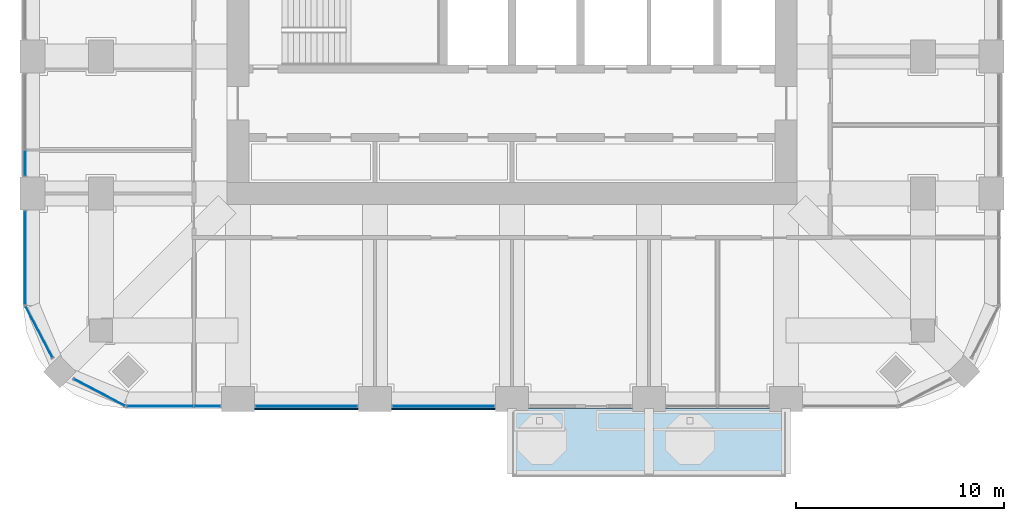
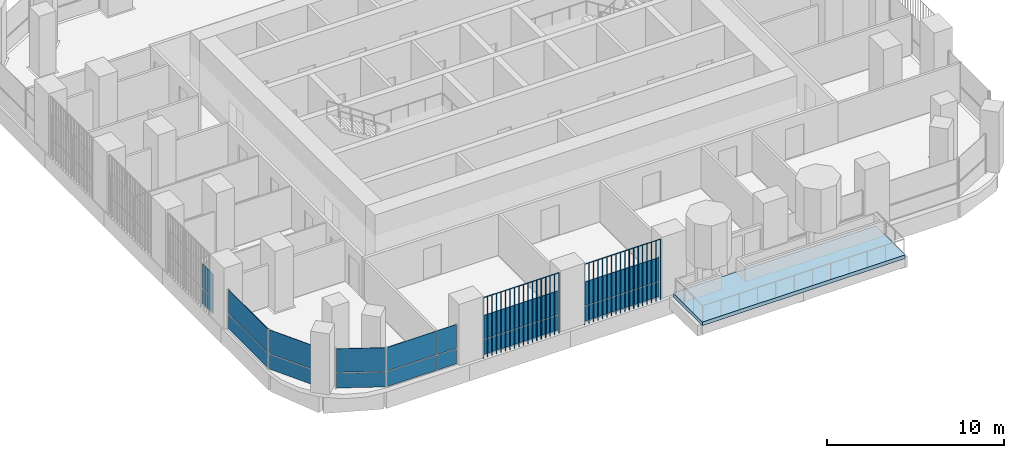
# One storey, part 8 of 20: 18 plates, 1 slab, 7 elements without a shape of their own.
"""IFC4 building model written with IfcOpenShell, lengths in metres."""

from ifc_helpers import new_model, si_unit, direction, frame, origin, origin_2d, place, context, subcontext, project, spatial, polyline, rectangle, outline, extrude, material, layer, layer_set, type_object, element, aggregate, save


model = new_model("IFC4")

# Units and contexts
model_context = context("Model", 3, precision=1e-05, world=origin(), true_north=direction((0.0, 1.0)))
body_context = subcontext(model_context, "Body", "Model", "MODEL_VIEW")
ifc_project = project(units=[si_unit("LENGTHUNIT", "METRE"), si_unit("AREAUNIT", "SQUARE_METRE"), si_unit("VOLUMEUNIT", "CUBIC_METRE"), si_unit("PLANEANGLEUNIT", "RADIAN"), si_unit("MASSUNIT", "GRAM", prefix="KILO")], contexts=[model_context])

# Site, building, storey
site_placement = place(None, origin())
site = spatial("IfcSite", under=ifc_project, at=site_placement, CompositionType="ELEMENT")
building_placement = place(site_placement, origin())
building = spatial("IfcBuilding", under=site, at=building_placement, Name="Cobogo Forest Laboratory Tower", CompositionType="ELEMENT")
storey_placement = place(building_placement, frame((0.0, 0.0, 189.300048828125)))
storey = spatial("IfcBuildingStorey", under=building, at=storey_placement, Name="L43", CompositionType="ELEMENT", Elevation=189.300048828125)

# Slab
ifc_material_1 = material(Name="Concrete HA-40 (C40/50)", Category="concrete")
ifc_layer_1 = layer(ifc_material_1, 0.25)
ifc_layer_set_1 = layer_set([ifc_layer_1], Name="Balcony slab 250")
slab_type = type_object("IfcSlabType", Name="Balcony slab 250", PredefinedType="FLOOR", material=ifc_layer_set_1)
slab_placement = place(storey_placement, frame((0.0, 0.0, -0.25)))
element("IfcSlab", 1, at=slab_placement, inside=storey, type_object=slab_type, Name="Balcony BAL-S1 L43", PredefinedType="FLOOR", context=body_context, shape_type="SweptSolid", body=[
    extrude(outline(polyline([(26.39990234375, -0.449951171875), (39.60009765625, -0.449951171875), (39.60009765625, 2.85009765625), (26.39990234375, 2.85009765625), (26.39990234375, -0.449951171875)])), origin(), (0.0, 0.0, 1.0), 0.25),
])

# Curtain wall, plates
ifc_material_2 = material(Name="Aluminium curtain wall", Category="aluminium")
curtain_wall_type = type_object("IfcCurtainWallType", Name="CW-2 unitised curtain wall, solar control glazing, laboratory floors zones C and D", PredefinedType="USERDEFINED", material=ifc_material_2)
curtain_wall_1_placement = place(storey_placement, origin())
curtain_wall_1 = element("IfcCurtainWall", 2, at=curtain_wall_1_placement, inside=storey, type_object=curtain_wall_type, Name="Curtain wall 01 L43", ObjectType="UNITISED CURTAIN WALL", PredefinedType="USERDEFINED")
ifc_material_3 = material(Name="Solar control insulated glass", Category="glass")
ifc_layer_2 = layer(ifc_material_3, 0.031982421875)
ifc_layer_set_2 = layer_set([ifc_layer_2], Name="GP-2 solar control glass unit 32")
plate_type_1 = type_object("IfcPlateType", Name="GP-2 solar control glass unit 32", PredefinedType="CURTAIN_PANEL", material=ifc_layer_set_2)
plate_1_placement = place(storey_placement, frame((9.452392578125, 2.949951171875, 0.0), z_axis=(0.0, 0.0, 1.0), x_axis=(1.0, 0.0, 0.0)))
plate_1 = element("IfcPlate", 3, at=plate_1_placement, type_object=plate_type_1, Name="CW-2 panel 1.1", PredefinedType="CURTAIN_PANEL", context=body_context, shape_type="SweptSolid", body=[
    extrude(rectangle(XDim=3.18505859375, YDim=0.031982421875, at=origin_2d()), origin(), (0.0, 0.0, 1.0), 1.02001953125),
])
plate_2_placement = place(storey_placement, frame((9.452392578125, 2.949951171875, 1.079833984375), z_axis=(0.0, 0.0, 1.0), x_axis=(1.0, 0.0, 0.0)))
plate_2 = element("IfcPlate", 4, at=plate_2_placement, type_object=plate_type_1, Name="CW-2 panel 1.2", PredefinedType="CURTAIN_PANEL", context=body_context, shape_type="SweptSolid", body=[
    extrude(rectangle(XDim=3.18505859375, YDim=0.031982421875, at=origin_2d()), origin(), (0.0, 0.0, 1.0), 1.6201171875),
])
plate_3_placement = place(storey_placement, frame((11.722412109375, 2.949951171875, 0.0), z_axis=(0.0, 0.0, 1.0), x_axis=(1.0, 0.0, 0.0)))
plate_3 = element("IfcPlate", 5, at=plate_3_placement, type_object=plate_type_1, Name="CW-2 panel 2.1", PredefinedType="CURTAIN_PANEL", context=body_context, shape_type="SweptSolid", body=[
    extrude(rectangle(XDim=1.235107421875, YDim=0.031982421875, at=origin_2d()), origin(), (0.0, 0.0, 1.0), 1.02001953125),
])
plate_4_placement = place(storey_placement, frame((11.722412109375, 2.949951171875, 1.079833984375), z_axis=(0.0, 0.0, 1.0), x_axis=(1.0, 0.0, 0.0)))
plate_4 = element("IfcPlate", 6, at=plate_4_placement, type_object=plate_type_1, Name="CW-2 panel 2.2", PredefinedType="CURTAIN_PANEL", context=body_context, shape_type="SweptSolid", body=[
    extrude(rectangle(XDim=1.235107421875, YDim=0.031982421875, at=origin_2d()), origin(), (0.0, 0.0, 1.0), 1.6201171875),
])
aggregate(curtain_wall_1, [plate_1, plate_2, plate_3, plate_4])

curtain_wall_2_placement = place(storey_placement, origin())
curtain_wall_2 = element("IfcCurtainWall", 7, at=curtain_wall_2_placement, inside=storey, type_object=curtain_wall_type, Name="Curtain wall 02 L43", ObjectType="UNITISED CURTAIN WALL", PredefinedType="USERDEFINED")
plate_5_placement = place(storey_placement, frame((16.5, 2.949951171875, 0.0), z_axis=(0.0, 0.0, 1.0), x_axis=(1.0, 0.0, 0.0)))
plate_5 = element("IfcPlate", 8, at=plate_5_placement, type_object=plate_type_1, Name="CW-2 panel 1.1", PredefinedType="CURTAIN_PANEL", context=body_context, shape_type="SweptSolid", body=[
    extrude(rectangle(XDim=4.8798828125, YDim=0.031982421875, at=origin_2d()), origin(), (0.0, 0.0, 1.0), 1.02001953125),
])
plate_6_placement = place(storey_placement, frame((16.5, 2.949951171875, 1.079833984375), z_axis=(0.0, 0.0, 1.0), x_axis=(1.0, 0.0, 0.0)))
plate_6 = element("IfcPlate", 9, at=plate_6_placement, type_object=plate_type_1, Name="CW-2 panel 1.2", PredefinedType="CURTAIN_PANEL", context=body_context, shape_type="SweptSolid", body=[
    extrude(rectangle(XDim=4.8798828125, YDim=0.031982421875, at=origin_2d()), origin(), (0.0, 0.0, 1.0), 1.6201171875),
])
aggregate(curtain_wall_2, [plate_5, plate_6])

curtain_wall_3_placement = place(storey_placement, origin())
curtain_wall_3 = element("IfcCurtainWall", 10, at=curtain_wall_3_placement, inside=storey, type_object=curtain_wall_type, Name="Curtain wall 03 L43", ObjectType="UNITISED CURTAIN WALL", PredefinedType="USERDEFINED")
plate_7_placement = place(storey_placement, frame((23.10009765625, 2.949951171875, 0.0), z_axis=(0.0, 0.0, 1.0), x_axis=(1.0, 0.0, 0.0)))
plate_7 = element("IfcPlate", 11, at=plate_7_placement, type_object=plate_type_1, Name="CW-2 panel 1.1", PredefinedType="CURTAIN_PANEL", context=body_context, shape_type="SweptSolid", body=[
    extrude(rectangle(XDim=4.8798828125, YDim=0.031982421875, at=origin_2d()), origin(), (0.0, 0.0, 1.0), 1.02001953125),
])
plate_8_placement = place(storey_placement, frame((23.10009765625, 2.949951171875, 1.079833984375), z_axis=(0.0, 0.0, 1.0), x_axis=(1.0, 0.0, 0.0)))
plate_8 = element("IfcPlate", 12, at=plate_8_placement, type_object=plate_type_1, Name="CW-2 panel 1.2", PredefinedType="CURTAIN_PANEL", context=body_context, shape_type="SweptSolid", body=[
    extrude(rectangle(XDim=4.8798828125, YDim=0.031982421875, at=origin_2d()), origin(), (0.0, 0.0, 1.0), 1.6201171875),
])
aggregate(curtain_wall_3, [plate_7, plate_8])

curtain_wall_4_placement = place(storey_placement, origin())
curtain_wall_4 = element("IfcCurtainWall", 13, at=curtain_wall_4_placement, inside=storey, type_object=curtain_wall_type, Name="Curtain wall 27 L43", ObjectType="UNITISED CURTAIN WALL", PredefinedType="USERDEFINED")
plate_9_placement = place(storey_placement, frame((2.949951171875, 14.6650390625, 0.0), z_axis=(0.0, 0.0, 1.0), x_axis=(0.0, -1.0, 0.0)))
plate_9 = element("IfcPlate", 14, at=plate_9_placement, type_object=plate_type_1, Name="CW-2 panel 2.1", PredefinedType="CURTAIN_PANEL", context=body_context, shape_type="SweptSolid", body=[
    extrude(rectangle(XDim=1.2099609375, YDim=0.031982421875, at=origin_2d()), origin(), (0.0, 0.0, 1.0), 1.02001953125),
])
plate_10_placement = place(storey_placement, frame((2.949951171875, 14.6650390625, 1.079833984375), z_axis=(0.0, 0.0, 1.0), x_axis=(0.0, -1.0, 0.0)))
plate_10 = element("IfcPlate", 15, at=plate_10_placement, type_object=plate_type_1, Name="CW-2 panel 2.2", PredefinedType="CURTAIN_PANEL", context=body_context, shape_type="SweptSolid", body=[
    extrude(rectangle(XDim=1.2099609375, YDim=0.031982421875, at=origin_2d()), origin(), (0.0, 0.0, 1.0), 1.6201171875),
])
aggregate(curtain_wall_4, [plate_9, plate_10])

curtain_wall_5_placement = place(storey_placement, origin())
curtain_wall_5 = element("IfcCurtainWall", 16, at=curtain_wall_5_placement, inside=storey, type_object=curtain_wall_type, Name="Curtain wall 28 L43", ObjectType="UNITISED CURTAIN WALL", PredefinedType="USERDEFINED")
plate_11_placement = place(storey_placement, frame((2.949951171875, 10.10009765625, 0.0), z_axis=(0.0, 0.0, 1.0), x_axis=(0.0, -1.0, 0.0)))
plate_11 = element("IfcPlate", 17, at=plate_11_placement, type_object=plate_type_1, Name="CW-2 panel 1.1", PredefinedType="CURTAIN_PANEL", context=body_context, shape_type="SweptSolid", body=[
    extrude(rectangle(XDim=4.47998046875, YDim=0.031982421875, at=origin_2d()), origin(), (0.0, 0.0, 1.0), 1.02001953125),
])
plate_12_placement = place(storey_placement, frame((2.949951171875, 10.10009765625, 1.079833984375), z_axis=(0.0, 0.0, 1.0), x_axis=(0.0, -1.0, 0.0)))
plate_12 = element("IfcPlate", 18, at=plate_12_placement, type_object=plate_type_1, Name="CW-2 panel 1.2", PredefinedType="CURTAIN_PANEL", context=body_context, shape_type="SweptSolid", body=[
    extrude(rectangle(XDim=4.47998046875, YDim=0.031982421875, at=origin_2d()), origin(), (0.0, 0.0, 1.0), 1.6201171875),
])
aggregate(curtain_wall_5, [plate_11, plate_12])

curtain_wall_6_placement = place(storey_placement, origin())
curtain_wall_6 = element("IfcCurtainWall", 19, at=curtain_wall_6_placement, inside=storey, type_object=curtain_wall_type, Name="Curtain wall 29 L43", ObjectType="UNITISED CURTAIN WALL", PredefinedType="USERDEFINED")
plate_13_placement = place(storey_placement, frame((3.61865234375, 6.5244140625, 0.0), z_axis=(0.0, 0.0, 1.0), x_axis=(0.464283804832, -0.885686484356, 0.0)))
plate_13 = element("IfcPlate", 20, at=plate_13_placement, type_object=plate_type_1, Name="CW-2 panel 1.1", PredefinedType="CURTAIN_PANEL", context=body_context, shape_type="SweptSolid", body=[
    extrude(rectangle(XDim=2.76025390625, YDim=0.031982421875, at=origin_2d()), origin(), (0.0, 0.0, 1.0), 1.02001953125),
])
plate_14_placement = place(storey_placement, frame((3.61865234375, 6.5244140625, 1.079833984375), z_axis=(0.0, 0.0, 1.0), x_axis=(0.464283804832, -0.885686484356, 0.0)))
plate_14 = element("IfcPlate", 21, at=plate_14_placement, type_object=plate_type_1, Name="CW-2 panel 1.2", PredefinedType="CURTAIN_PANEL", context=body_context, shape_type="SweptSolid", body=[
    extrude(rectangle(XDim=2.76025390625, YDim=0.031982421875, at=origin_2d()), origin(), (0.0, 0.0, 1.0), 1.6201171875),
])
aggregate(curtain_wall_6, [plate_13, plate_14])

curtain_wall_7_placement = place(storey_placement, origin())
curtain_wall_7 = element("IfcCurtainWall", 22, at=curtain_wall_7_placement, inside=storey, type_object=curtain_wall_type, Name="Curtain wall 30 L43", ObjectType="UNITISED CURTAIN WALL", PredefinedType="USERDEFINED")
plate_15_placement = place(storey_placement, frame((6.5244140625, 3.61865234375, 0.0), z_axis=(0.0, 0.0, 1.0), x_axis=(0.885686484356, -0.464283804832, 0.0)))
plate_15 = element("IfcPlate", 23, at=plate_15_placement, type_object=plate_type_1, Name="CW-2 panel 1.1", PredefinedType="CURTAIN_PANEL", context=body_context, shape_type="SweptSolid", body=[
    extrude(rectangle(XDim=2.76025390625, YDim=0.031982421875, at=origin_2d()), origin(), (0.0, 0.0, 1.0), 1.02001953125),
])
plate_16_placement = place(storey_placement, frame((6.5244140625, 3.61865234375, 1.079833984375), z_axis=(0.0, 0.0, 1.0), x_axis=(0.885686484356, -0.464283804832, 0.0)))
plate_16 = element("IfcPlate", 24, at=plate_16_placement, type_object=plate_type_1, Name="CW-2 panel 1.2", PredefinedType="CURTAIN_PANEL", context=body_context, shape_type="SweptSolid", body=[
    extrude(rectangle(XDim=2.76025390625, YDim=0.031982421875, at=origin_2d()), origin(), (0.0, 0.0, 1.0), 1.6201171875),
])
aggregate(curtain_wall_7, [plate_15, plate_16])

# Plates
ifc_material_4 = material(Name="Terracotta", Category="masonry")
plate_type_2 = type_object("IfcPlateType", Name="TB1 terracotta baguette screen", PredefinedType="USERDEFINED", material=ifc_material_4)
plate_17_placement = place(storey_placement, frame((14.03125, 2.822021484375, -0.150146484375)))
element("IfcPlate", 25, at=plate_17_placement, inside=storey, type_object=plate_type_2, Name="Baguette screen S1 L43", ObjectType="BAGUETTE SCREEN", PredefinedType="USERDEFINED", context=body_context, shape_type="SweptSolid", body=[
    extrude(outline(polyline([(0.02880859375, 0.011962890625), (0.011962890625, 0.02880859375), (-0.011962890625, 0.02880859375), (-0.02880859375, 0.011962890625), (-0.02880859375, -0.011962890625), (-0.011962890625, -0.02880859375), (0.011962890625, -0.02880859375), (0.02880859375, -0.011962890625), (0.02880859375, 0.011962890625)])), frame((0.0, 0.0, 4.168701171875), z_axis=(1.0, 0.0, 0.0), x_axis=(0.0, 1.0, 0.0)), (0.0, 0.0, 1.0), 4.9375),
    extrude(outline(polyline([(0.02880859375, 0.011962890625), (0.011962890625, 0.02880859375), (-0.011962890625, 0.02880859375), (-0.02880859375, 0.011962890625), (-0.02880859375, -0.011962890625), (-0.011962890625, -0.02880859375), (0.011962890625, -0.02880859375), (0.02880859375, -0.011962890625), (0.02880859375, 0.011962890625)])), origin(), (0.0, 0.0, 1.0), 4.137451171875),
    extrude(outline(polyline([(0.02880859375, 0.011962890625), (0.011962890625, 0.02880859375), (-0.011962890625, 0.02880859375), (-0.02880859375, 0.011962890625), (-0.02880859375, -0.011962890625), (-0.011962890625, -0.02880859375), (0.011962890625, -0.02880859375), (0.02880859375, -0.011962890625), (0.02880859375, 0.011962890625)])), frame((0.29052734375, 0.0, 0.0)), (0.0, 0.0, 1.0), 4.137451171875),
    extrude(outline(polyline([(0.02880859375, 0.011962890625), (0.011962890625, 0.02880859375), (-0.011962890625, 0.02880859375), (-0.02880859375, 0.011962890625), (-0.02880859375, -0.011962890625), (-0.011962890625, -0.02880859375), (0.011962890625, -0.02880859375), (0.02880859375, -0.011962890625), (0.02880859375, 0.011962890625)])), frame((0.580810546875, 0.0, 0.0)), (0.0, 0.0, 1.0), 4.137451171875),
    extrude(outline(polyline([(0.02880859375, 0.011962890625), (0.011962890625, 0.02880859375), (-0.011962890625, 0.02880859375), (-0.02880859375, 0.011962890625), (-0.02880859375, -0.011962890625), (-0.011962890625, -0.02880859375), (0.011962890625, -0.02880859375), (0.02880859375, -0.011962890625), (0.02880859375, 0.011962890625)])), frame((0.871337890625, 0.0, 0.0)), (0.0, 0.0, 1.0), 4.137451171875),
    extrude(outline(polyline([(0.02880859375, 0.011962890625), (0.011962890625, 0.02880859375), (-0.011962890625, 0.02880859375), (-0.02880859375, 0.011962890625), (-0.02880859375, -0.011962890625), (-0.011962890625, -0.02880859375), (0.011962890625, -0.02880859375), (0.02880859375, -0.011962890625), (0.02880859375, 0.011962890625)])), frame((1.161865234375, 0.0, 0.0)), (0.0, 0.0, 1.0), 4.137451171875),
    extrude(outline(polyline([(0.02880859375, 0.011962890625), (0.011962890625, 0.02880859375), (-0.011962890625, 0.02880859375), (-0.02880859375, 0.011962890625), (-0.02880859375, -0.011962890625), (-0.011962890625, -0.02880859375), (0.011962890625, -0.02880859375), (0.02880859375, -0.011962890625), (0.02880859375, 0.011962890625)])), frame((1.4521484375, 0.0, 0.0)), (0.0, 0.0, 1.0), 4.137451171875),
    extrude(outline(polyline([(0.02880859375, 0.011962890625), (0.011962890625, 0.02880859375), (-0.011962890625, 0.02880859375), (-0.02880859375, 0.011962890625), (-0.02880859375, -0.011962890625), (-0.011962890625, -0.02880859375), (0.011962890625, -0.02880859375), (0.02880859375, -0.011962890625), (0.02880859375, 0.011962890625)])), frame((1.74267578125, 0.0, 0.0)), (0.0, 0.0, 1.0), 4.137451171875),
    extrude(outline(polyline([(0.02880859375, 0.011962890625), (0.011962890625, 0.02880859375), (-0.011962890625, 0.02880859375), (-0.02880859375, 0.011962890625), (-0.02880859375, -0.011962890625), (-0.011962890625, -0.02880859375), (0.011962890625, -0.02880859375), (0.02880859375, -0.011962890625), (0.02880859375, 0.011962890625)])), frame((2.033203125, 0.0, 0.0)), (0.0, 0.0, 1.0), 4.137451171875),
    extrude(outline(polyline([(0.02880859375, 0.011962890625), (0.011962890625, 0.02880859375), (-0.011962890625, 0.02880859375), (-0.02880859375, 0.011962890625), (-0.02880859375, -0.011962890625), (-0.011962890625, -0.02880859375), (0.011962890625, -0.02880859375), (0.02880859375, -0.011962890625), (0.02880859375, 0.011962890625)])), frame((2.323486328125, 0.0, 0.0)), (0.0, 0.0, 1.0), 4.137451171875),
    extrude(outline(polyline([(0.02880859375, 0.011962890625), (0.011962890625, 0.02880859375), (-0.011962890625, 0.02880859375), (-0.02880859375, 0.011962890625), (-0.02880859375, -0.011962890625), (-0.011962890625, -0.02880859375), (0.011962890625, -0.02880859375), (0.02880859375, -0.011962890625), (0.02880859375, 0.011962890625)])), frame((2.614013671875, 0.0, 0.0)), (0.0, 0.0, 1.0), 4.137451171875),
    extrude(outline(polyline([(0.02880859375, 0.011962890625), (0.011962890625, 0.02880859375), (-0.011962890625, 0.02880859375), (-0.02880859375, 0.011962890625), (-0.02880859375, -0.011962890625), (-0.011962890625, -0.02880859375), (0.011962890625, -0.02880859375), (0.02880859375, -0.011962890625), (0.02880859375, 0.011962890625)])), frame((2.904296875, 0.0, 0.0)), (0.0, 0.0, 1.0), 4.137451171875),
    extrude(outline(polyline([(0.02880859375, 0.011962890625), (0.011962890625, 0.02880859375), (-0.011962890625, 0.02880859375), (-0.02880859375, 0.011962890625), (-0.02880859375, -0.011962890625), (-0.011962890625, -0.02880859375), (0.011962890625, -0.02880859375), (0.02880859375, -0.011962890625), (0.02880859375, 0.011962890625)])), frame((3.19482421875, 0.0, 0.0)), (0.0, 0.0, 1.0), 4.137451171875),
    extrude(outline(polyline([(0.02880859375, 0.011962890625), (0.011962890625, 0.02880859375), (-0.011962890625, 0.02880859375), (-0.02880859375, 0.011962890625), (-0.02880859375, -0.011962890625), (-0.011962890625, -0.02880859375), (0.011962890625, -0.02880859375), (0.02880859375, -0.011962890625), (0.02880859375, 0.011962890625)])), frame((3.4853515625, 0.0, 0.0)), (0.0, 0.0, 1.0), 4.137451171875),
    extrude(outline(polyline([(0.02880859375, 0.011962890625), (0.011962890625, 0.02880859375), (-0.011962890625, 0.02880859375), (-0.02880859375, 0.011962890625), (-0.02880859375, -0.011962890625), (-0.011962890625, -0.02880859375), (0.011962890625, -0.02880859375), (0.02880859375, -0.011962890625), (0.02880859375, 0.011962890625)])), frame((3.775634765625, 0.0, 0.0)), (0.0, 0.0, 1.0), 4.137451171875),
    extrude(outline(polyline([(0.02880859375, 0.011962890625), (0.011962890625, 0.02880859375), (-0.011962890625, 0.02880859375), (-0.02880859375, 0.011962890625), (-0.02880859375, -0.011962890625), (-0.011962890625, -0.02880859375), (0.011962890625, -0.02880859375), (0.02880859375, -0.011962890625), (0.02880859375, 0.011962890625)])), frame((4.066162109375, 0.0, 0.0)), (0.0, 0.0, 1.0), 4.137451171875),
    extrude(outline(polyline([(0.02880859375, 0.011962890625), (0.011962890625, 0.02880859375), (-0.011962890625, 0.02880859375), (-0.02880859375, 0.011962890625), (-0.02880859375, -0.011962890625), (-0.011962890625, -0.02880859375), (0.011962890625, -0.02880859375), (0.02880859375, -0.011962890625), (0.02880859375, 0.011962890625)])), frame((4.356689453125, 0.0, 0.0)), (0.0, 0.0, 1.0), 4.137451171875),
    extrude(outline(polyline([(0.02880859375, 0.011962890625), (0.011962890625, 0.02880859375), (-0.011962890625, 0.02880859375), (-0.02880859375, 0.011962890625), (-0.02880859375, -0.011962890625), (-0.011962890625, -0.02880859375), (0.011962890625, -0.02880859375), (0.02880859375, -0.011962890625), (0.02880859375, 0.011962890625)])), frame((4.64697265625, 0.0, 0.0)), (0.0, 0.0, 1.0), 4.137451171875),
    extrude(outline(polyline([(0.02880859375, 0.011962890625), (0.011962890625, 0.02880859375), (-0.011962890625, 0.02880859375), (-0.02880859375, 0.011962890625), (-0.02880859375, -0.011962890625), (-0.011962890625, -0.02880859375), (0.011962890625, -0.02880859375), (0.02880859375, -0.011962890625), (0.02880859375, 0.011962890625)])), frame((4.9375, 0.0, 0.0)), (0.0, 0.0, 1.0), 4.137451171875),
])
plate_18_placement = place(storey_placement, frame((20.63134765625, 2.822021484375, -0.150146484375)))
element("IfcPlate", 26, at=plate_18_placement, inside=storey, type_object=plate_type_2, Name="Baguette screen S2 L43", ObjectType="BAGUETTE SCREEN", PredefinedType="USERDEFINED", context=body_context, shape_type="SweptSolid", body=[
    extrude(outline(polyline([(0.02880859375, 0.011962890625), (0.011962890625, 0.02880859375), (-0.011962890625, 0.02880859375), (-0.02880859375, 0.011962890625), (-0.02880859375, -0.011962890625), (-0.011962890625, -0.02880859375), (0.011962890625, -0.02880859375), (0.02880859375, -0.011962890625), (0.02880859375, 0.011962890625)])), frame((0.0, 0.0, 4.168701171875), z_axis=(1.0, 0.0, 0.0), x_axis=(0.0, 1.0, 0.0)), (0.0, 0.0, 1.0), 4.9375),
    extrude(outline(polyline([(0.02880859375, 0.011962890625), (0.011962890625, 0.02880859375), (-0.011962890625, 0.02880859375), (-0.02880859375, 0.011962890625), (-0.02880859375, -0.011962890625), (-0.011962890625, -0.02880859375), (0.011962890625, -0.02880859375), (0.02880859375, -0.011962890625), (0.02880859375, 0.011962890625)])), origin(), (0.0, 0.0, 1.0), 4.137451171875),
    extrude(outline(polyline([(0.02880859375, 0.011962890625), (0.011962890625, 0.02880859375), (-0.011962890625, 0.02880859375), (-0.02880859375, 0.011962890625), (-0.02880859375, -0.011962890625), (-0.011962890625, -0.02880859375), (0.011962890625, -0.02880859375), (0.02880859375, -0.011962890625), (0.02880859375, 0.011962890625)])), frame((0.29052734375, 0.0, 0.0)), (0.0, 0.0, 1.0), 4.137451171875),
    extrude(outline(polyline([(0.02880859375, 0.011962890625), (0.011962890625, 0.02880859375), (-0.011962890625, 0.02880859375), (-0.02880859375, 0.011962890625), (-0.02880859375, -0.011962890625), (-0.011962890625, -0.02880859375), (0.011962890625, -0.02880859375), (0.02880859375, -0.011962890625), (0.02880859375, 0.011962890625)])), frame((0.580810546875, 0.0, 0.0)), (0.0, 0.0, 1.0), 4.137451171875),
    extrude(outline(polyline([(0.02880859375, 0.011962890625), (0.011962890625, 0.02880859375), (-0.011962890625, 0.02880859375), (-0.02880859375, 0.011962890625), (-0.02880859375, -0.011962890625), (-0.011962890625, -0.02880859375), (0.011962890625, -0.02880859375), (0.02880859375, -0.011962890625), (0.02880859375, 0.011962890625)])), frame((0.871337890625, 0.0, 0.0)), (0.0, 0.0, 1.0), 4.137451171875),
    extrude(outline(polyline([(0.02880859375, 0.011962890625), (0.011962890625, 0.02880859375), (-0.011962890625, 0.02880859375), (-0.02880859375, 0.011962890625), (-0.02880859375, -0.011962890625), (-0.011962890625, -0.02880859375), (0.011962890625, -0.02880859375), (0.02880859375, -0.011962890625), (0.02880859375, 0.011962890625)])), frame((1.161865234375, 0.0, 0.0)), (0.0, 0.0, 1.0), 4.137451171875),
    extrude(outline(polyline([(0.02880859375, 0.011962890625), (0.011962890625, 0.02880859375), (-0.011962890625, 0.02880859375), (-0.02880859375, 0.011962890625), (-0.02880859375, -0.011962890625), (-0.011962890625, -0.02880859375), (0.011962890625, -0.02880859375), (0.02880859375, -0.011962890625), (0.02880859375, 0.011962890625)])), frame((1.4521484375, 0.0, 0.0)), (0.0, 0.0, 1.0), 4.137451171875),
    extrude(outline(polyline([(0.02880859375, 0.011962890625), (0.011962890625, 0.02880859375), (-0.011962890625, 0.02880859375), (-0.02880859375, 0.011962890625), (-0.02880859375, -0.011962890625), (-0.011962890625, -0.02880859375), (0.011962890625, -0.02880859375), (0.02880859375, -0.011962890625), (0.02880859375, 0.011962890625)])), frame((1.74267578125, 0.0, 0.0)), (0.0, 0.0, 1.0), 4.137451171875),
    extrude(outline(polyline([(0.02880859375, 0.011962890625), (0.011962890625, 0.02880859375), (-0.011962890625, 0.02880859375), (-0.02880859375, 0.011962890625), (-0.02880859375, -0.011962890625), (-0.011962890625, -0.02880859375), (0.011962890625, -0.02880859375), (0.02880859375, -0.011962890625), (0.02880859375, 0.011962890625)])), frame((2.033203125, 0.0, 0.0)), (0.0, 0.0, 1.0), 4.137451171875),
    extrude(outline(polyline([(0.02880859375, 0.011962890625), (0.011962890625, 0.02880859375), (-0.011962890625, 0.02880859375), (-0.02880859375, 0.011962890625), (-0.02880859375, -0.011962890625), (-0.011962890625, -0.02880859375), (0.011962890625, -0.02880859375), (0.02880859375, -0.011962890625), (0.02880859375, 0.011962890625)])), frame((2.323486328125, 0.0, 0.0)), (0.0, 0.0, 1.0), 4.137451171875),
    extrude(outline(polyline([(0.02880859375, 0.011962890625), (0.011962890625, 0.02880859375), (-0.011962890625, 0.02880859375), (-0.02880859375, 0.011962890625), (-0.02880859375, -0.011962890625), (-0.011962890625, -0.02880859375), (0.011962890625, -0.02880859375), (0.02880859375, -0.011962890625), (0.02880859375, 0.011962890625)])), frame((2.614013671875, 0.0, 0.0)), (0.0, 0.0, 1.0), 4.137451171875),
    extrude(outline(polyline([(0.02880859375, 0.011962890625), (0.011962890625, 0.02880859375), (-0.011962890625, 0.02880859375), (-0.02880859375, 0.011962890625), (-0.02880859375, -0.011962890625), (-0.011962890625, -0.02880859375), (0.011962890625, -0.02880859375), (0.02880859375, -0.011962890625), (0.02880859375, 0.011962890625)])), frame((2.904296875, 0.0, 0.0)), (0.0, 0.0, 1.0), 4.137451171875),
    extrude(outline(polyline([(0.02880859375, 0.011962890625), (0.011962890625, 0.02880859375), (-0.011962890625, 0.02880859375), (-0.02880859375, 0.011962890625), (-0.02880859375, -0.011962890625), (-0.011962890625, -0.02880859375), (0.011962890625, -0.02880859375), (0.02880859375, -0.011962890625), (0.02880859375, 0.011962890625)])), frame((3.19482421875, 0.0, 0.0)), (0.0, 0.0, 1.0), 4.137451171875),
    extrude(outline(polyline([(0.02880859375, 0.011962890625), (0.011962890625, 0.02880859375), (-0.011962890625, 0.02880859375), (-0.02880859375, 0.011962890625), (-0.02880859375, -0.011962890625), (-0.011962890625, -0.02880859375), (0.011962890625, -0.02880859375), (0.02880859375, -0.011962890625), (0.02880859375, 0.011962890625)])), frame((3.4853515625, 0.0, 0.0)), (0.0, 0.0, 1.0), 4.137451171875),
    extrude(outline(polyline([(0.02880859375, 0.011962890625), (0.011962890625, 0.02880859375), (-0.011962890625, 0.02880859375), (-0.02880859375, 0.011962890625), (-0.02880859375, -0.011962890625), (-0.011962890625, -0.02880859375), (0.011962890625, -0.02880859375), (0.02880859375, -0.011962890625), (0.02880859375, 0.011962890625)])), frame((3.775634765625, 0.0, 0.0)), (0.0, 0.0, 1.0), 4.137451171875),
    extrude(outline(polyline([(0.02880859375, 0.011962890625), (0.011962890625, 0.02880859375), (-0.011962890625, 0.02880859375), (-0.02880859375, 0.011962890625), (-0.02880859375, -0.011962890625), (-0.011962890625, -0.02880859375), (0.011962890625, -0.02880859375), (0.02880859375, -0.011962890625), (0.02880859375, 0.011962890625)])), frame((4.066162109375, 0.0, 0.0)), (0.0, 0.0, 1.0), 4.137451171875),
    extrude(outline(polyline([(0.02880859375, 0.011962890625), (0.011962890625, 0.02880859375), (-0.011962890625, 0.02880859375), (-0.02880859375, 0.011962890625), (-0.02880859375, -0.011962890625), (-0.011962890625, -0.02880859375), (0.011962890625, -0.02880859375), (0.02880859375, -0.011962890625), (0.02880859375, 0.011962890625)])), frame((4.356689453125, 0.0, 0.0)), (0.0, 0.0, 1.0), 4.137451171875),
    extrude(outline(polyline([(0.02880859375, 0.011962890625), (0.011962890625, 0.02880859375), (-0.011962890625, 0.02880859375), (-0.02880859375, 0.011962890625), (-0.02880859375, -0.011962890625), (-0.011962890625, -0.02880859375), (0.011962890625, -0.02880859375), (0.02880859375, -0.011962890625), (0.02880859375, 0.011962890625)])), frame((4.64697265625, 0.0, 0.0)), (0.0, 0.0, 1.0), 4.137451171875),
    extrude(outline(polyline([(0.02880859375, 0.011962890625), (0.011962890625, 0.02880859375), (-0.011962890625, 0.02880859375), (-0.02880859375, 0.011962890625), (-0.02880859375, -0.011962890625), (-0.011962890625, -0.02880859375), (0.011962890625, -0.02880859375), (0.02880859375, -0.011962890625), (0.02880859375, 0.011962890625)])), frame((4.9375, 0.0, 0.0)), (0.0, 0.0, 1.0), 4.137451171875),
])

save(model, "model.ifc")
